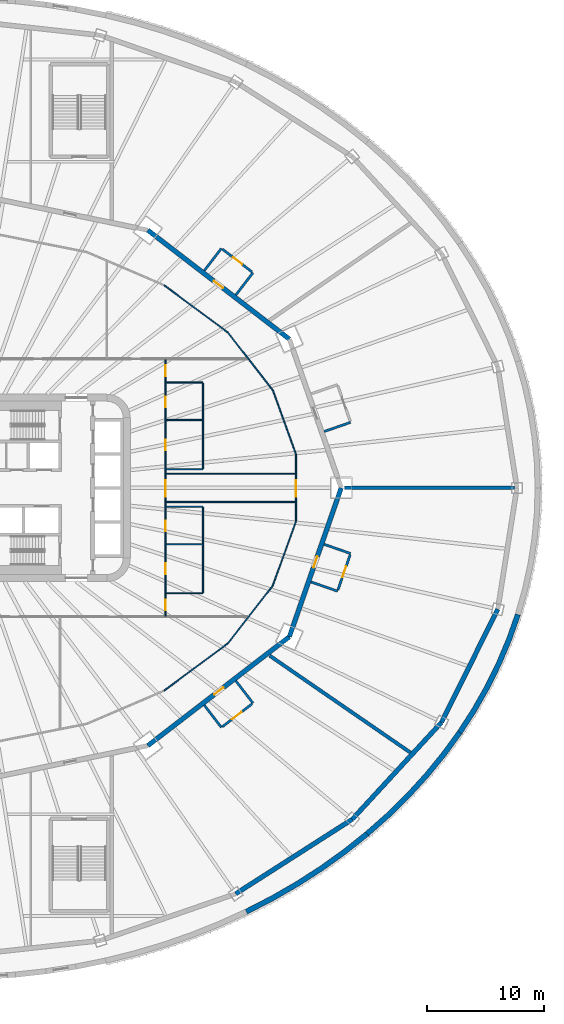
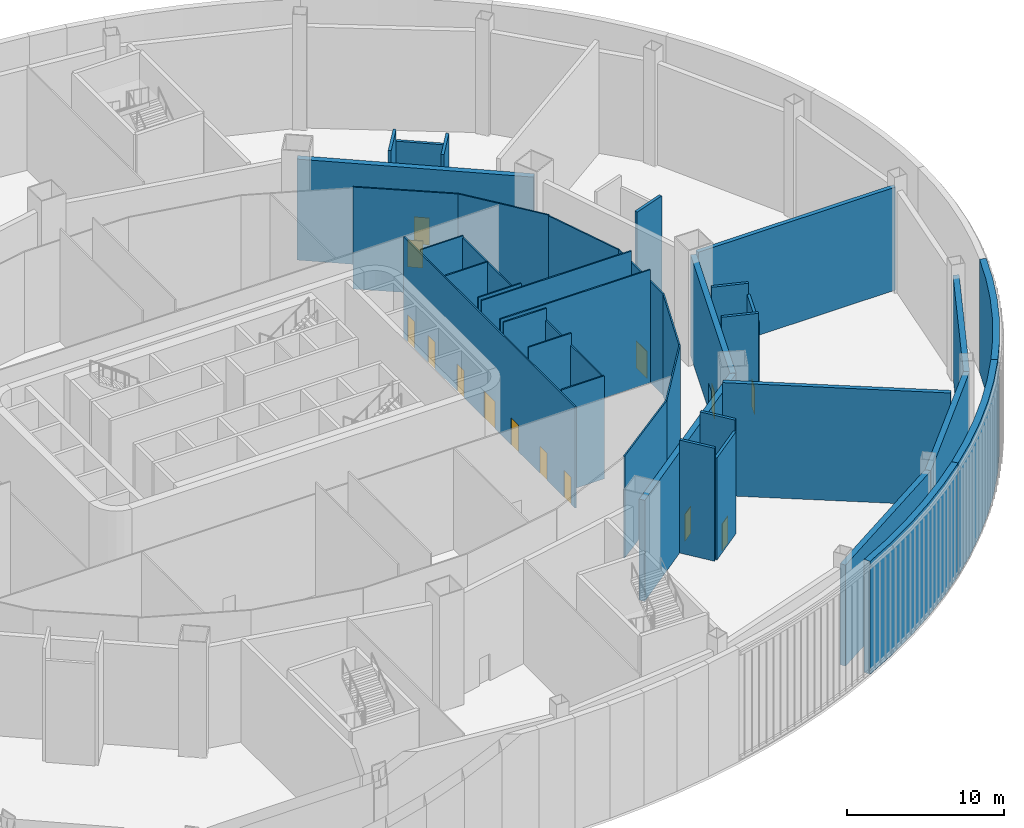
# One storey, part 11 of 35: 39 walls, 14 doors, 14 openings.
"""IFC4 building model written with IfcOpenShell, lengths in metres."""

import ifcopenshell
import ifcopenshell.guid

model = None  # the IFC model being written
_history = None  # IfcOwnerHistory: only IFC2X3 demands one
_inside = {}  # id of a spatial element -> (the spatial element, [elements in it])
_under = {}  # id of a project, library or spatial element -> (it, [spatial elements below it])
_declared = {}  # id of a project -> (the project, [libraries it declares])
_typed = {}  # id of a type object -> (the type object, [elements of that type])
_made_of = {}  # id of a material, layer set ... -> (it, [elements and type objects made of it])


def new_model(schema):
    """Start an empty IFC model of exactly this schema.

    Asked for "IFC4X3", IfcOpenShell would pick the latest addendum, in which some entities
    have other attributes; the version numbers below select the first issue.
    IFC2X3 requires an IfcOwnerHistory on every rooted entity: one is made here for all.
    """
    global model, _history
    if schema == "IFC4X3":
        model = ifcopenshell.file(schema_version=(4, 3, 0, 0))
    else:
        model = ifcopenshell.file(schema=schema)
    _inside.clear()
    _under.clear()
    _declared.clear()
    _typed.clear()
    _made_of.clear()
    _history = None
    if model.schema == "IFC2X3":
        org = make("IfcOrganization", Name="unknown")
        user = make(
            "IfcPersonAndOrganization",
            ThePerson=make("IfcPerson", FamilyName="unknown"),
            TheOrganization=org,
        )
        app = make(
            "IfcApplication",
            ApplicationDeveloper=org,
            Version="unknown",
            ApplicationFullName="unknown",
            ApplicationIdentifier="unknown",
        )
        _history = make(
            "IfcOwnerHistory",
            OwningUser=user,
            OwningApplication=app,
            ChangeAction="ADDED",
            CreationDate=0,
        )
    return model


def make(cls, **values):
    """One entity of the class cls with the attributes given. An attribute that is None is left unset."""
    return model.create_entity(
        cls, **{name: value for name, value in values.items() if value is not None}
    )


def rooted(cls, **values):
    """An entity with a GlobalId (a new one), such as an element, a storey or a relation."""
    return make(cls, GlobalId=ifcopenshell.guid.new(), OwnerHistory=_history, **values)


def si_unit(unit_type, name, prefix=None):
    """IfcSIUnit, for example si_unit("LENGTHUNIT", "METRE", prefix="MILLI")."""
    return make("IfcSIUnit", UnitType=unit_type, Prefix=prefix, Name=name)


def assignment(units):
    """IfcUnitAssignment: the units of a project."""
    return None if units is None else make("IfcUnitAssignment", Units=units)


def point(xyz):
    """IfcCartesianPoint."""
    return None if xyz is None else make("IfcCartesianPoint", Coordinates=xyz)


def direction(xyz):
    """IfcDirection."""
    return None if xyz is None else make("IfcDirection", DirectionRatios=xyz)


def frame(location, z_axis=None, x_axis=None):
    """IfcAxis2Placement3D, a coordinate frame: its origin and axes. An axis left out is left unset."""
    return make(
        "IfcAxis2Placement3D",
        Location=point(location),
        Axis=direction(z_axis),
        RefDirection=direction(x_axis),
    )


def frame_2d(location, x_axis=None):
    """IfcAxis2Placement2D, a coordinate frame in the plane: its origin and x axis."""
    return make(
        "IfcAxis2Placement2D", Location=point(location), RefDirection=direction(x_axis)
    )


def origin():
    """The frame at (0, 0, 0) with its axes left unset."""
    return frame((0.0, 0.0, 0.0))


def place(relative_to, where):
    """IfcLocalPlacement: puts the frame where relative to a parent placement (None: the world)."""
    return make(
        "IfcLocalPlacement", PlacementRelTo=relative_to, RelativePlacement=where
    )


def context(
    kind, dimensions, precision=None, world=None, true_north=None, identifier=None
):
    """IfcGeometricRepresentationContext, for example the 3D "Model" context."""
    return make(
        "IfcGeometricRepresentationContext",
        ContextIdentifier=identifier,
        ContextType=kind,
        CoordinateSpaceDimension=dimensions,
        Precision=precision,
        WorldCoordinateSystem=world,
        TrueNorth=true_north,
    )


def subcontext(parent, identifier, kind, view, scale=None):
    """IfcGeometricRepresentationSubContext, for example "Body" below "Model"."""
    return make(
        "IfcGeometricRepresentationSubContext",
        ContextIdentifier=identifier,
        ContextType=kind,
        ParentContext=parent,
        TargetScale=scale,
        TargetView=view,
    )


def project(units=None, contexts=None):
    """IfcProject with its units and contexts."""
    return rooted(
        "IfcProject",
        Name="project",
        RepresentationContexts=contexts,
        UnitsInContext=assignment(units),
    )


def spatial(cls, under=None, at=None, **own):
    """A site, building, storey or space (cls), placed at a placement, below another one or the project."""
    s = rooted(cls, ObjectPlacement=at, **own)
    if under is not None:
        _under.setdefault(under.id(), (under, []))[1].append(s)
    return s


def polyline(points):
    """IfcPolyline through the points."""
    return make("IfcPolyline", Points=[point(p) for p in points])


def profile(cls, at=None, kind="AREA", **sizes):
    """A parametric profile (cls). Its sizes go by their IFC names, for example OverallWidth=200.0."""
    return make(cls, ProfileType=kind, Position=at, **sizes)


def rectangle(**sizes):
    """IfcRectangleProfileDef."""
    return profile("IfcRectangleProfileDef", **sizes)


def outline(outer, holes=None, kind="AREA"):
    """IfcArbitraryClosedProfileDef: a profile drawn as a closed curve; with holes, ...WithVoids."""
    if holes is None:
        return make("IfcArbitraryClosedProfileDef", ProfileType=kind, OuterCurve=outer)
    return make(
        "IfcArbitraryProfileDefWithVoids",
        ProfileType=kind,
        OuterCurve=outer,
        InnerCurves=holes,
    )


def extrude(swept, where, along, depth):
    """IfcExtrudedAreaSolid: the profile swept, set in the frame where, extruded along a direction by depth."""
    return make(
        "IfcExtrudedAreaSolid",
        SweptArea=swept,
        Position=where,
        ExtrudedDirection=direction(along),
        Depth=depth,
    )


def shape(context_of_items, identifier, shape_type, items):
    """IfcShapeRepresentation: the items that make up one representation, for example the "Body"."""
    return make(
        "IfcShapeRepresentation",
        ContextOfItems=context_of_items,
        RepresentationIdentifier=identifier,
        RepresentationType=shape_type,
        Items=items,
    )


def material(Name=None, Category=None):
    """IfcMaterial."""
    return make("IfcMaterial", Name=Name, Category=Category)


def layer(
    of_material, thickness, ventilated=None, Name=None, Category=None, Priority=None
):
    """IfcMaterialLayer: one layer of a wall or slab, of a material (None: an air gap)."""
    return make(
        "IfcMaterialLayer",
        Material=of_material,
        LayerThickness=thickness,
        IsVentilated=ventilated,
        Name=Name,
        Category=Category,
        Priority=Priority,
    )


def layer_set(layers, Name=None):
    """IfcMaterialLayerSet."""
    return make("IfcMaterialLayerSet", MaterialLayers=layers, LayerSetName=Name)


def made_of(thing, what):
    """Note that an element or type object is made of a material, layer set ...; save() writes the relation."""
    if what is not None:
        _made_of.setdefault(what.id(), (what, []))[1].append(thing)
    return thing


def type_object(cls, material=None, **own):
    """A type object (cls), such as IfcWallType, which elements share."""
    return made_of(rooted(cls, **own), material)


def element(
    cls,
    number,
    at=None,
    inside=None,
    cuts=None,
    type_object=None,
    material=None,
    context=None,
    identifier="Body",
    shape_type=None,
    held_by="IfcProductDefinitionShape",
    body=None,
    shapes=None,
    **own,
):
    """One element of the class cls, such as IfcWall. Its Tag is "e" and its number.

    at: its placement. inside: the storey or other place that contains it. cuts: it is an
    opening in that element (IfcRelVoidsElement). A single representation is given by context,
    identifier, shape_type and body (its items); several are given by shapes. held_by: the class
    of the entity that holds the representations. save() writes the other relations.
    """
    e = rooted(cls, Tag="e%d" % number, ObjectPlacement=at, **own)
    if body is not None:
        shapes = [shape(context, identifier, shape_type, body)]
    if shapes is not None:
        e.Representation = make(held_by, Representations=shapes)
    if inside is not None:
        _inside.setdefault(inside.id(), (inside, []))[1].append(e)
    if cuts is not None:
        rooted(
            "IfcRelVoidsElement", RelatingBuildingElement=cuts, RelatedOpeningElement=e
        )
    if type_object is not None:
        _typed.setdefault(type_object.id(), (type_object, []))[1].append(e)
    return made_of(e, material)


def fill(opening, filler):
    """IfcRelFillsElement: the door or window that sits in an opening."""
    return rooted(
        "IfcRelFillsElement",
        RelatingOpeningElement=opening,
        RelatedBuildingElement=filler,
    )


def aggregate(whole, parts):
    """IfcRelAggregates: a whole, such as a stair, and the parts it consists of."""
    return rooted("IfcRelAggregates", RelatingObject=whole, RelatedObjects=parts)


def save(model, path):
    """Write the relations noted so far, then the file.

    IfcRelAggregates (storeys below a building ...), IfcRelContainedInSpatialStructure (elements
    in a storey), IfcRelDefinesByType, IfcRelAssociatesMaterial and IfcRelDeclares: one each for
    every whole, place, type object, material and project.
    """
    for whole, parts in _under.values():
        aggregate(whole, parts)
    for where, things in _inside.values():
        rooted(
            "IfcRelContainedInSpatialStructure",
            RelatedElements=things,
            RelatingStructure=where,
        )
    for kind, things in _typed.values():
        rooted("IfcRelDefinesByType", RelatedObjects=things, RelatingType=kind)
    for what, things in _made_of.values():
        rooted("IfcRelAssociatesMaterial", RelatedObjects=things, RelatingMaterial=what)
    for by, libraries in _declared.values():
        rooted("IfcRelDeclares", RelatingContext=by, RelatedDefinitions=libraries)
    model.write(path)


model = new_model("IFC4")

# Units and contexts
model_context = context("Model", 3, precision=1e-05, world=origin(), true_north=direction((0.0, 1.0)))
body_context = subcontext(model_context, "Body", "Model", "MODEL_VIEW")
ifc_project = project(units=[si_unit("LENGTHUNIT", "METRE"), si_unit("AREAUNIT", "SQUARE_METRE"), si_unit("VOLUMEUNIT", "CUBIC_METRE"), si_unit("PLANEANGLEUNIT", "RADIAN"), si_unit("MASSUNIT", "GRAM", prefix="KILO")], contexts=[model_context])

# Site, building, storey
site_placement = place(None, origin())
site = spatial("IfcSite", under=ifc_project, at=site_placement, CompositionType="ELEMENT")
building_placement = place(site_placement, origin())
building = spatial("IfcBuilding", under=site, at=building_placement, Name="Sahrelin Media Tower", CompositionType="ELEMENT")
storey_placement = place(building_placement, frame((0.0, 0.0, 8.0)))
storey = spatial("IfcBuildingStorey", under=building, at=storey_placement, Name="L01", CompositionType="ELEMENT", Elevation=8.0)

# Walls
ifc_material_1 = material(Name="Fire-rated gypsum board partition")
ifc_layer_1 = layer(ifc_material_1, 0.199951171875)
ifc_layer_set_1 = layer_set([ifc_layer_1], Name="Fire-rated partition 200")
wall_type_1 = type_object("IfcWallType", Name="Fire-rated partition 200", PredefinedType="PARTITIONING", material=ifc_layer_set_1)
for number, where, z_axis, x_axis, name in (
    (1, (24.008544921875, 16.47021484375, 0.0), (0.0, 0.0, 1.0), (0.609946706972, 0.792442436177, 0.0), "Wall"),
    (2, (21.314208984375, 18.5439453125, 0.0), (0.0, 0.0, 1.0), (0.609946706972, 0.792442436177, 0.0), "Wall"),
):
    element("IfcWall", number, at=place(storey_placement, frame(where, z_axis=z_axis, x_axis=x_axis)), inside=storey, type_object=wall_type_1, Name=name, PredefinedType="PARTITIONING", context=body_context, shape_type="SweptSolid", body=[
        extrude(rectangle(XDim=2.39990234375, YDim=0.199951171875, at=frame_2d((1.199951171875, 0.0))), origin(), (0.0, 0.0, 1.0), 8.800048828125),
    ])

# Wall, opening, door
wall_1_placement = place(storey_placement, frame((25.393310546875, 18.43310546875, 0.0), z_axis=(0.0, 0.0, 1.0), x_axis=(-0.792476481098, 0.609902473274, 0.0)))
wall_1 = element("IfcWall", 3, at=wall_1_placement, inside=storey, type_object=wall_type_1, Name="Wall", PredefinedType="PARTITIONING", context=body_context, shape_type="SweptSolid", body=[
    extrude(rectangle(XDim=3.199951171875, YDim=0.199951171875, at=frame_2d((1.60009765625, 0.0))), origin(), (0.0, 0.0, 1.0), 7.945068359375),
])
opening_1_placement = place(wall_1_placement, frame((1.050048828125, 0.0, 0.0)))
opening_1 = element("IfcOpeningElement", 4, at=opening_1_placement, cuts=wall_1, Name="Opening L01-D54", PredefinedType="OPENING", context=body_context, shape_type="SweptSolid", body=[
    extrude(rectangle(XDim=1.0, YDim=2.10009765625, at=frame_2d((0.5, 1.050048828125))), frame((0.0, 0.10009765625, 0.0), z_axis=(0.0, -1.0, 0.0), x_axis=(1.0, 0.0, 0.0)), (0.0, 0.0, 1.0), 0.199951171875),
])
ifc_material_2 = material(Name="Steel fire door leaf", Category="steel")
door_type_1 = type_object("IfcDoorType", Name="Fire door 1000 x 2100 EI 60", OperationType="NOTDEFINED", PredefinedType="DOOR", material=ifc_material_2)
door_1_placement = place(opening_1_placement, origin())
door_1 = element("IfcDoor", 5, at=door_1_placement, inside=storey, type_object=door_type_1, Name="Fire door", OperationType="SINGLE_SWING_LEFT", OverallHeight=2.10009765625, OverallWidth=1.0, PredefinedType="DOOR", context=body_context, shape_type="SweptSolid", body=[
    extrude(rectangle(XDim=1.0, YDim=2.10009765625, at=frame_2d((0.5, 1.050048828125))), frame((0.0, 0.02490234375, 0.0), z_axis=(0.0, -1.0, 0.0), x_axis=(1.0, 0.0, 0.0)), (0.0, 0.0, 1.0), 0.050048828125),
])
fill(opening_1, door_1)

# Walls
for number, where, z_axis, x_axis, name in (
    (6, (31.537109375, 4.810302734375, 0.0), (0.0, 0.0, 1.0), (0.94440893349, 0.328773122904, 0.0), "Wall"),
    (7, (30.41943359375, -8.021240234375, 0.0), (0.0, 0.0, 1.0), (0.94440893349, -0.328773122904, 0.0), "Wall"),
    (8, (31.537109375, -4.810302734375, 0.0), (0.0, 0.0, 1.0), (0.94440893349, -0.328773122904, 0.0), "Wall"),
):
    element("IfcWall", number, at=place(storey_placement, frame(where, z_axis=z_axis, x_axis=x_axis)), inside=storey, type_object=wall_type_1, Name=name, PredefinedType="PARTITIONING", context=body_context, shape_type="SweptSolid", body=[
        extrude(rectangle(XDim=2.39990234375, YDim=0.199951171875, at=frame_2d((1.199951171875, 0.0))), origin(), (0.0, 0.0, 1.0), 8.800048828125),
    ])

# Wall, opening, door
wall_2_placement = place(storey_placement, frame((32.718994140625, -8.7158203125, 0.0), z_axis=(0.0, 0.0, 1.0), x_axis=(0.328742544754, 0.944419577978, 0.0)))
wall_2 = element("IfcWall", 9, at=wall_2_placement, inside=storey, type_object=wall_type_1, Name="Wall", PredefinedType="PARTITIONING", context=body_context, shape_type="SweptSolid", body=[
    extrude(rectangle(XDim=3.2001953125, YDim=0.199951171875, at=frame_2d((1.60009765625, 0.0))), origin(), (0.0, 0.0, 1.0), 7.945068359375),
])
opening_2_placement = place(wall_2_placement, frame((1.14990234375, 0.0, 0.0)))
opening_2 = element("IfcOpeningElement", 10, at=opening_2_placement, cuts=wall_2, Name="Opening L01-D58", PredefinedType="OPENING", context=body_context, shape_type="SweptSolid", body=[
    extrude(rectangle(XDim=1.0, YDim=2.10009765625, at=frame_2d((0.5, 1.050048828125))), frame((0.0, 0.10009765625, 0.0), z_axis=(0.0, -1.0, 0.0), x_axis=(1.0, 0.0, 0.0)), (0.0, 0.0, 1.0), 0.199951171875),
])
door_2_placement = place(opening_2_placement, origin())
door_2 = element("IfcDoor", 11, at=door_2_placement, inside=storey, type_object=door_type_1, Name="Fire door", OperationType="SINGLE_SWING_RIGHT", OverallHeight=2.10009765625, OverallWidth=1.0, PredefinedType="DOOR", context=body_context, shape_type="SweptSolid", body=[
    extrude(rectangle(XDim=1.0, YDim=2.10009765625, at=frame_2d((0.5, 1.050048828125))), frame((0.0, 0.02490234375, 0.0), z_axis=(0.0, -1.0, 0.0), x_axis=(1.0, 0.0, 0.0)), (0.0, 0.0, 1.0), 0.050048828125),
])
fill(opening_2, door_2)

# Walls
for number, where, z_axis, x_axis, name in (
    (12, (21.314208984375, -18.5439453125, 0.0), (0.0, 0.0, 1.0), (0.609946706972, -0.792442436177, 0.0), "Wall"),
    (13, (24.008544921875, -16.47021484375, 0.0), (0.0, 0.0, 1.0), (0.609946706972, -0.792442436177, 0.0), "Wall"),
):
    element("IfcWall", number, at=place(storey_placement, frame(where, z_axis=z_axis, x_axis=x_axis)), inside=storey, type_object=wall_type_1, Name=name, PredefinedType="PARTITIONING", context=body_context, shape_type="SweptSolid", body=[
        extrude(rectangle(XDim=2.39990234375, YDim=0.199951171875, at=frame_2d((1.199951171875, 0.0))), origin(), (0.0, 0.0, 1.0), 8.800048828125),
    ])

# Wall, opening, door
wall_3_placement = place(storey_placement, frame((22.857421875, -20.384765625, 0.0), z_axis=(0.0, 0.0, 1.0), x_axis=(0.792476481098, 0.609902473274, 0.0)))
wall_3 = element("IfcWall", 14, at=wall_3_placement, inside=storey, type_object=wall_type_1, Name="Wall", PredefinedType="PARTITIONING", context=body_context, shape_type="SweptSolid", body=[
    extrude(rectangle(XDim=3.199951171875, YDim=0.199951171875, at=frame_2d((1.60009765625, 0.0))), origin(), (0.0, 0.0, 1.0), 7.945068359375),
])
opening_3_placement = place(wall_3_placement, frame((1.050048828125, 0.0, 0.0)))
opening_3 = element("IfcOpeningElement", 15, at=opening_3_placement, cuts=wall_3, Name="Opening L01-D60", PredefinedType="OPENING", context=body_context, shape_type="SweptSolid", body=[
    extrude(rectangle(XDim=1.0, YDim=2.10009765625, at=frame_2d((0.5, 1.050048828125))), frame((0.0, 0.10009765625, 0.0), z_axis=(0.0, -1.0, 0.0), x_axis=(1.0, 0.0, 0.0)), (0.0, 0.0, 1.0), 0.199951171875),
])
door_3_placement = place(opening_3_placement, origin())
door_3 = element("IfcDoor", 16, at=door_3_placement, inside=storey, type_object=door_type_1, Name="Fire door", OperationType="SINGLE_SWING_LEFT", OverallHeight=2.10009765625, OverallWidth=1.0, PredefinedType="DOOR", context=body_context, shape_type="SweptSolid", body=[
    extrude(rectangle(XDim=1.0, YDim=2.10009765625, at=frame_2d((0.5, 1.050048828125))), frame((0.0, 0.02490234375, 0.0), z_axis=(0.0, -1.0, 0.0), x_axis=(1.0, 0.0, 0.0)), (0.0, 0.0, 1.0), 0.050048828125),
])
fill(opening_3, door_3)

# Walls
ifc_layer_2 = layer(ifc_material_1, 0.300048828125)
ifc_layer_set_2 = layer_set([ifc_layer_2], Name="Fire-rated partition 300")
wall_type_2 = type_object("IfcWallType", Name="Fire-rated partition 300", PredefinedType="PARTITIONING", material=ifc_layer_set_2)
wall_4_placement = place(storey_placement, frame((33.263916015625, 0.0, 0.0), z_axis=(0.0, 0.0, 1.0), x_axis=(1.0, 0.0, 0.0)))
element("IfcWall", 17, at=wall_4_placement, inside=storey, type_object=wall_type_2, Name="Wall", PredefinedType="PARTITIONING", context=body_context, shape_type="SweptSolid", body=[
    extrude(rectangle(XDim=14.53369140625, YDim=0.300048828125, at=frame_2d((7.266845703125, 0.0))), origin(), (0.0, 0.0, 1.0), 8.02587890625),
])
wall_5_placement = place(storey_placement, frame((26.887939453125, -14.31201171875, 0.0), z_axis=(0.0, 0.0, 1.0), x_axis=(0.823646474485, -0.567103592889, 0.0)))
element("IfcWall", 18, at=wall_5_placement, inside=storey, type_object=wall_type_2, Name="Wall", PredefinedType="PARTITIONING", context=body_context, shape_type="SweptSolid", body=[
    extrude(rectangle(XDim=14.598388671875, YDim=0.300048828125, at=frame_2d((7.29931640625, 0.0))), origin(), (0.0, 0.0, 1.0), 8.800048828125),
])
ifc_layer_3 = layer(ifc_material_1, 0.39990234375)
ifc_layer_set_3 = layer_set([ifc_layer_3], Name="Fire-rated partition 400")
wall_type_3 = type_object("IfcWallType", Name="Fire-rated partition 400", PredefinedType="PARTITIONING", material=ifc_layer_set_3)
wall_6_placement = place(storey_placement, frame((24.0, -34.64111328125, 0.0), z_axis=(0.0, 0.0, 1.0), x_axis=(0.842479506869, 0.538728392147, 0.0)))
element("IfcWall", 19, at=wall_6_placement, inside=storey, type_object=wall_type_3, Name="Wall", PredefinedType="PARTITIONING", context=body_context, shape_type="SweptSolid", body=[
    extrude(rectangle(XDim=11.7998046875, YDim=0.39990234375, at=frame_2d((5.89990234375, 0.0))), origin(), (0.0, 0.0, 1.0), 7.876953125),
])
wall_7_placement = place(storey_placement, frame((33.941162109375, -28.2841796875, 0.0), z_axis=(0.0, 0.0, 1.0), x_axis=(0.67736833065, 0.735644033914, 0.0)))
element("IfcWall", 20, at=wall_7_placement, inside=storey, type_object=wall_type_3, Name="Wall", PredefinedType="PARTITIONING", context=body_context, shape_type="SweptSolid", body=[
    extrude(rectangle(XDim=11.26123046875, YDim=0.39990234375, at=frame_2d((5.630615234375, 0.0))), origin(), (0.0, 0.0, 1.0), 7.876953125),
])
wall_8_placement = place(storey_placement, frame((41.569091796875, -20.0, 0.0), z_axis=(0.0, 0.0, 1.0), x_axis=(0.445118441463, 0.895471704226, 0.0)))
element("IfcWall", 21, at=wall_8_placement, inside=storey, type_object=wall_type_3, Name="Wall", PredefinedType="PARTITIONING", context=body_context, shape_type="SweptSolid", body=[
    extrude(rectangle(XDim=10.7734375, YDim=0.39990234375, at=frame_2d((5.38671875, 0.0))), origin(), (0.0, 0.0, 1.0), 7.876953125),
])

# Wall, opening, door
wall_9_placement = place(storey_placement, frame((28.578857421875, 12.699951171875, 0.0), z_axis=(0.0, 0.0, 1.0), x_axis=(-0.792443539308, 0.609945273782, 0.0)))
wall_9 = element("IfcWall", 22, at=wall_9_placement, inside=storey, type_object=wall_type_3, Name="Wall", PredefinedType="PARTITIONING", context=body_context, shape_type="SweptSolid", body=[
    extrude(rectangle(XDim=15.242431640625, YDim=0.39990234375, at=frame_2d((7.62109375, 0.0))), origin(), (0.0, 0.0, 1.0), 7.8681640625),
])
opening_4_placement = place(wall_9_placement, frame((7.14990234375, 0.0, 0.0)))
opening_4 = element("IfcOpeningElement", 23, at=opening_4_placement, cuts=wall_9, Name="Opening L01-D53", PredefinedType="OPENING", context=body_context, shape_type="SweptSolid", body=[
    extrude(rectangle(XDim=1.0, YDim=2.10009765625, at=frame_2d((0.5, 1.050048828125))), frame((0.0, 0.199951171875, 0.0), z_axis=(0.0, -1.0, 0.0), x_axis=(1.0, 0.0, 0.0)), (0.0, 0.0, 1.0), 0.39990234375),
])
door_4_placement = place(opening_4_placement, origin())
door_4 = element("IfcDoor", 24, at=door_4_placement, inside=storey, type_object=door_type_1, Name="Fire door", OperationType="SINGLE_SWING_RIGHT", OverallHeight=2.10009765625, OverallWidth=1.0, PredefinedType="DOOR", context=body_context, shape_type="SweptSolid", body=[
    extrude(rectangle(XDim=1.0, YDim=2.10009765625, at=frame_2d((0.5, 1.050048828125))), frame((0.0, 0.02490234375, 0.0), z_axis=(0.0, -1.0, 0.0), x_axis=(1.0, 0.0, 0.0)), (0.0, 0.0, 1.0), 0.050048828125),
])
fill(opening_4, door_4)

wall_10_placement = place(storey_placement, frame((16.5, -21.9970703125, 0.0), z_axis=(0.0, 0.0, 1.0), x_axis=(0.792443539308, 0.609945273782, 0.0)))
wall_10 = element("IfcWall", 25, at=wall_10_placement, inside=storey, type_object=wall_type_3, Name="Wall", PredefinedType="PARTITIONING", context=body_context, shape_type="SweptSolid", body=[
    extrude(rectangle(XDim=15.242431640625, YDim=0.39990234375, at=frame_2d((7.62109375, 0.0))), origin(), (0.0, 0.0, 1.0), 7.8681640625),
])
opening_5_placement = place(wall_10_placement, frame((7.14990234375, 0.0, 0.0)))
opening_5 = element("IfcOpeningElement", 26, at=opening_5_placement, cuts=wall_10, Name="Opening L01-D59", PredefinedType="OPENING", context=body_context, shape_type="SweptSolid", body=[
    extrude(rectangle(XDim=1.0, YDim=2.10009765625, at=frame_2d((0.5, 1.050048828125))), frame((0.0, 0.199951171875, 0.0), z_axis=(0.0, -1.0, 0.0), x_axis=(1.0, 0.0, 0.0)), (0.0, 0.0, 1.0), 0.39990234375),
])
door_5_placement = place(opening_5_placement, origin())
door_5 = element("IfcDoor", 27, at=door_5_placement, inside=storey, type_object=door_type_1, Name="Fire door", OperationType="SINGLE_SWING_RIGHT", OverallHeight=2.10009765625, OverallWidth=1.0, PredefinedType="DOOR", context=body_context, shape_type="SweptSolid", body=[
    extrude(rectangle(XDim=1.0, YDim=2.10009765625, at=frame_2d((0.5, 1.050048828125))), frame((0.0, 0.02490234375, 0.0), z_axis=(0.0, -1.0, 0.0), x_axis=(1.0, 0.0, 0.0)), (0.0, 0.0, 1.0), 0.050048828125),
])
fill(opening_5, door_5)

wall_11_placement = place(storey_placement, frame((28.578857421875, -12.699951171875, 0.0), z_axis=(0.0, 0.0, 1.0), x_axis=(0.328770590399, 0.944409815117, 0.0)))
wall_11 = element("IfcWall", 28, at=wall_11_placement, inside=storey, type_object=wall_type_3, Name="Wall", PredefinedType="PARTITIONING", context=body_context, shape_type="SweptSolid", body=[
    extrude(rectangle(XDim=13.447509765625, YDim=0.39990234375, at=frame_2d((6.7236328125, 0.0))), origin(), (0.0, 0.0, 1.0), 7.8681640625),
])
opening_6_placement = place(wall_11_placement, frame((6.25, 0.0, 0.0)))
opening_6 = element("IfcOpeningElement", 29, at=opening_6_placement, cuts=wall_11, Name="Opening L01-D57", PredefinedType="OPENING", context=body_context, shape_type="SweptSolid", body=[
    extrude(rectangle(XDim=1.0, YDim=2.10009765625, at=frame_2d((0.5, 1.050048828125))), frame((0.0, 0.199951171875, 0.0), z_axis=(0.0, -1.0, 0.0), x_axis=(1.0, 0.0, 0.0)), (0.0, 0.0, 1.0), 0.39990234375),
])
door_6_placement = place(opening_6_placement, origin())
door_6 = element("IfcDoor", 30, at=door_6_placement, inside=storey, type_object=door_type_1, Name="Fire door", OperationType="SINGLE_SWING_RIGHT", OverallHeight=2.10009765625, OverallWidth=1.0, PredefinedType="DOOR", context=body_context, shape_type="SweptSolid", body=[
    extrude(rectangle(XDim=1.0, YDim=2.10009765625, at=frame_2d((0.5, 1.050048828125))), frame((0.0, 0.02490234375, 0.0), z_axis=(0.0, -1.0, 0.0), x_axis=(1.0, 0.0, 0.0)), (0.0, 0.0, 1.0), 0.050048828125),
])
fill(opening_6, door_6)

# Walls
ifc_material_3 = material(Name="Gypsum board partition")
ifc_layer_4 = layer(ifc_material_3, 0.10009765625)
ifc_layer_set_4 = layer_set([ifc_layer_4], Name="Partition 100")
wall_type_4 = type_object("IfcWallType", Name="Partition 100", PredefinedType="PARTITIONING", material=ifc_layer_set_4)
wall_12_placement = place(storey_placement, frame((29.1484375, 2.845458984375, 0.0), z_axis=(0.0, 0.0, 1.0), x_axis=(-0.339837423604, 0.940484197378, 0.0)))
element("IfcWall", 31, at=wall_12_placement, inside=storey, type_object=wall_type_4, Name="Wall", PredefinedType="PARTITIONING", context=body_context, shape_type="SweptSolid", body=[
    extrude(rectangle(XDim=5.844970703125, YDim=0.10009765625, at=frame_2d((2.92236328125, 0.0))), origin(), (0.0, 0.0, 1.0), 7.876953125),
])
wall_13_placement = place(storey_placement, frame((27.162109375, 8.342529296875, 0.0), z_axis=(0.0, 0.0, 1.0), x_axis=(-0.614354540541, 0.78903009988, 0.0)))
element("IfcWall", 32, at=wall_13_placement, inside=storey, type_object=wall_type_4, Name="Wall", PredefinedType="PARTITIONING", context=body_context, shape_type="SweptSolid", body=[
    extrude(rectangle(XDim=6.246337890625, YDim=0.10009765625, at=frame_2d((3.123046875, 0.0))), origin(), (0.0, 0.0, 1.0), 7.945068359375),
])
for number, where, z_axis, x_axis, name in (
    (33, (23.32470703125, 13.27099609375, 0.0), (0.0, 0.0, 1.0), (-0.803261991148, 0.595625867115, 0.0), "Wall"),
    (34, (17.897705078125, -17.295166015625, 0.0), (0.0, 0.0, 1.0), (0.803261991148, 0.595625867115, 0.0), "Wall"),
):
    element("IfcWall", number, at=place(storey_placement, frame(where, z_axis=z_axis, x_axis=x_axis)), inside=storey, type_object=wall_type_4, Name=name, PredefinedType="PARTITIONING", context=body_context, shape_type="SweptSolid", body=[
        extrude(rectangle(XDim=6.756103515625, YDim=0.10009765625, at=frame_2d((3.3779296875, 0.0))), origin(), (0.0, 0.0, 1.0), 7.945068359375),
    ])
wall_14_placement = place(storey_placement, frame((23.32470703125, -13.27099609375, 0.0), z_axis=(0.0, 0.0, 1.0), x_axis=(0.614354540541, 0.78903009988, 0.0)))
element("IfcWall", 35, at=wall_14_placement, inside=storey, type_object=wall_type_4, Name="Wall", PredefinedType="PARTITIONING", context=body_context, shape_type="SweptSolid", body=[
    extrude(rectangle(XDim=6.246337890625, YDim=0.10009765625, at=frame_2d((3.123046875, 0.0))), origin(), (0.0, 0.0, 1.0), 7.945068359375),
])
wall_15_placement = place(storey_placement, frame((27.162109375, -8.342529296875, 0.0), z_axis=(0.0, 0.0, 1.0), x_axis=(0.339837423604, 0.940484197378, 0.0)))
element("IfcWall", 36, at=wall_15_placement, inside=storey, type_object=wall_type_4, Name="Wall", PredefinedType="PARTITIONING", context=body_context, shape_type="SweptSolid", body=[
    extrude(rectangle(XDim=5.844970703125, YDim=0.10009765625, at=frame_2d((2.92236328125, 0.0))), origin(), (0.0, 0.0, 1.0), 7.876953125),
])

# Wall, opening, door
wall_16_placement = place(storey_placement, frame((29.1484375, -2.845458984375, 0.0), z_axis=(0.0, 0.0, 1.0), x_axis=(0.0, 1.0, 0.0)))
wall_16 = element("IfcWall", 37, at=wall_16_placement, inside=storey, type_object=wall_type_4, Name="Wall", PredefinedType="PARTITIONING", context=body_context, shape_type="SweptSolid", body=[
    extrude(rectangle(XDim=5.69091796875, YDim=0.10009765625, at=frame_2d((2.845458984375, 0.0))), origin(), (0.0, 0.0, 1.0), 7.876953125),
])
opening_7_placement = place(wall_16_placement, frame((2.10009765625, 0.0, 0.0)))
opening_7 = element("IfcOpeningElement", 38, at=opening_7_placement, cuts=wall_16, Name="Opening L01-D47", PredefinedType="OPENING", context=body_context, shape_type="SweptSolid", body=[
    extrude(rectangle(XDim=1.39990234375, YDim=2.10009765625, at=frame_2d((0.699951171875, 1.050048828125))), frame((0.0, 0.050048828125, 0.0), z_axis=(0.0, -1.0, 0.0), x_axis=(1.0, 0.0, 0.0)), (0.0, 0.0, 1.0), 0.10009765625),
])
ifc_material_4 = material(Name="Timber door leaf", Category="wood")
door_type_2 = type_object("IfcDoorType", Name="Single door 1400 x 2100", OperationType="NOTDEFINED", PredefinedType="DOOR", material=ifc_material_4)
door_7_placement = place(opening_7_placement, origin())
door_7 = element("IfcDoor", 39, at=door_7_placement, inside=storey, type_object=door_type_2, Name="Single door", OperationType="SINGLE_SWING_LEFT", OverallHeight=2.10009765625, OverallWidth=1.39990234375, PredefinedType="DOOR", context=body_context, shape_type="SweptSolid", body=[
    extrude(rectangle(XDim=1.39990234375, YDim=2.10009765625, at=frame_2d((0.699951171875, 1.050048828125))), frame((0.0, 0.02490234375, 0.0), z_axis=(0.0, -1.0, 0.0), x_axis=(1.0, 0.0, 0.0)), (0.0, 0.0, 1.0), 0.050048828125),
])
fill(opening_7, door_7)

# Wall, openings, doors
wall_17_placement = place(storey_placement, frame((18.0, -10.949951171875, 0.0), z_axis=(0.0, 0.0, 1.0), x_axis=(0.0, 1.0, 0.0)))
wall_17 = element("IfcWall", 40, at=wall_17_placement, inside=storey, type_object=wall_type_4, Name="Wall", PredefinedType="PARTITIONING", context=body_context, shape_type="SweptSolid", body=[
    extrude(rectangle(XDim=21.89990234375, YDim=0.10009765625, at=frame_2d((10.949951171875, 0.0))), origin(), (0.0, 0.0, 1.0), 7.876953125),
])
opening_8_placement = place(wall_17_placement, frame((14.14990234375, 0.0, 0.0)))
opening_8 = element("IfcOpeningElement", 41, at=opening_8_placement, cuts=wall_17, Name="Opening L01-D19", PredefinedType="OPENING", context=body_context, shape_type="SweptSolid", body=[
    extrude(rectangle(XDim=0.89990234375, YDim=2.10009765625, at=frame_2d((0.449951171875, 1.050048828125))), frame((0.0, 0.050048828125, 0.0), z_axis=(0.0, -1.0, 0.0), x_axis=(1.0, 0.0, 0.0)), (0.0, 0.0, 1.0), 0.10009765625),
])
opening_9_placement = place(wall_17_placement, frame((17.85009765625, 0.0, 0.0)))
opening_9 = element("IfcOpeningElement", 42, at=opening_9_placement, cuts=wall_17, Name="Opening L01-D20", PredefinedType="OPENING", context=body_context, shape_type="SweptSolid", body=[
    extrude(rectangle(XDim=0.89990234375, YDim=2.10009765625, at=frame_2d((0.449951171875, 1.050048828125))), frame((0.0, 0.050048828125, 0.0), z_axis=(0.0, -1.0, 0.0), x_axis=(1.0, 0.0, 0.0)), (0.0, 0.0, 1.0), 0.10009765625),
])
opening_10_placement = place(wall_17_placement, frame((3.60009765625, 0.0, 0.0)))
opening_10 = element("IfcOpeningElement", 43, at=opening_10_placement, cuts=wall_17, Name="Opening L01-D21", PredefinedType="OPENING", context=body_context, shape_type="SweptSolid", body=[
    extrude(rectangle(XDim=0.89990234375, YDim=2.10009765625, at=frame_2d((0.449951171875, 1.050048828125))), frame((0.0, 0.050048828125, 0.0), z_axis=(0.0, -1.0, 0.0), x_axis=(1.0, 0.0, 0.0)), (0.0, 0.0, 1.0), 0.10009765625),
])
opening_11_placement = place(wall_17_placement, frame((7.25, 0.0, 0.0)))
opening_11 = element("IfcOpeningElement", 44, at=opening_11_placement, cuts=wall_17, Name="Opening L01-D22", PredefinedType="OPENING", context=body_context, shape_type="SweptSolid", body=[
    extrude(rectangle(XDim=0.89990234375, YDim=2.10009765625, at=frame_2d((0.449951171875, 1.050048828125))), frame((0.0, 0.050048828125, 0.0), z_axis=(0.0, -1.0, 0.0), x_axis=(1.0, 0.0, 0.0)), (0.0, 0.0, 1.0), 0.10009765625),
])
opening_12_placement = place(wall_17_placement, frame((0.5, 0.0, 0.0)))
opening_12 = element("IfcOpeningElement", 45, at=opening_12_placement, cuts=wall_17, Name="Opening L01-D45", PredefinedType="OPENING", context=body_context, shape_type="SweptSolid", body=[
    extrude(rectangle(XDim=0.89990234375, YDim=2.10009765625, at=frame_2d((0.449951171875, 1.050048828125))), frame((0.0, 0.050048828125, 0.0), z_axis=(0.0, -1.0, 0.0), x_axis=(1.0, 0.0, 0.0)), (0.0, 0.0, 1.0), 0.10009765625),
])
opening_13_placement = place(wall_17_placement, frame((10.199951171875, 0.0, 0.0)))
opening_13 = element("IfcOpeningElement", 46, at=opening_13_placement, cuts=wall_17, Name="Opening L01-D46", PredefinedType="OPENING", context=body_context, shape_type="SweptSolid", body=[
    extrude(rectangle(XDim=1.39990234375, YDim=2.10009765625, at=frame_2d((0.699951171875, 1.050048828125))), frame((0.0, 0.050048828125, 0.0), z_axis=(0.0, -1.0, 0.0), x_axis=(1.0, 0.0, 0.0)), (0.0, 0.0, 1.0), 0.10009765625),
])
opening_14_placement = place(wall_17_placement, frame((20.5, 0.0, 0.0)))
opening_14 = element("IfcOpeningElement", 47, at=opening_14_placement, cuts=wall_17, Name="Opening L01-D48", PredefinedType="OPENING", context=body_context, shape_type="SweptSolid", body=[
    extrude(rectangle(XDim=0.89990234375, YDim=2.10009765625, at=frame_2d((0.449951171875, 1.050048828125))), frame((0.0, 0.050048828125, 0.0), z_axis=(0.0, -1.0, 0.0), x_axis=(1.0, 0.0, 0.0)), (0.0, 0.0, 1.0), 0.10009765625),
])
door_8_placement = place(opening_13_placement, origin())
door_8 = element("IfcDoor", 48, at=door_8_placement, inside=storey, type_object=door_type_2, Name="Single door", OperationType="SINGLE_SWING_LEFT", OverallHeight=2.10009765625, OverallWidth=1.39990234375, PredefinedType="DOOR", context=body_context, shape_type="SweptSolid", body=[
    extrude(rectangle(XDim=1.39990234375, YDim=2.10009765625, at=frame_2d((0.699951171875, 1.050048828125))), frame((0.0, 0.02490234375, 0.0), z_axis=(0.0, -1.0, 0.0), x_axis=(1.0, 0.0, 0.0)), (0.0, 0.0, 1.0), 0.050048828125),
])
fill(opening_13, door_8)
door_type_3 = type_object("IfcDoorType", Name="Single door 900 x 2100", OperationType="NOTDEFINED", PredefinedType="DOOR", material=ifc_material_4)
door_9_placement = place(opening_8_placement, origin())
door_9 = element("IfcDoor", 49, at=door_9_placement, inside=storey, type_object=door_type_3, Name="Single door", OperationType="SINGLE_SWING_RIGHT", OverallHeight=2.10009765625, OverallWidth=0.89990234375, PredefinedType="DOOR", context=body_context, shape_type="SweptSolid", body=[
    extrude(rectangle(XDim=0.89990234375, YDim=2.10009765625, at=frame_2d((0.449951171875, 1.050048828125))), frame((0.0, 0.02490234375, 0.0), z_axis=(0.0, -1.0, 0.0), x_axis=(1.0, 0.0, 0.0)), (0.0, 0.0, 1.0), 0.050048828125),
])
fill(opening_8, door_9)
door_10_placement = place(opening_9_placement, origin())
door_10 = element("IfcDoor", 50, at=door_10_placement, inside=storey, type_object=door_type_3, Name="Single door", OperationType="SINGLE_SWING_RIGHT", OverallHeight=2.10009765625, OverallWidth=0.89990234375, PredefinedType="DOOR", context=body_context, shape_type="SweptSolid", body=[
    extrude(rectangle(XDim=0.89990234375, YDim=2.10009765625, at=frame_2d((0.449951171875, 1.050048828125))), frame((0.0, 0.02490234375, 0.0), z_axis=(0.0, -1.0, 0.0), x_axis=(1.0, 0.0, 0.0)), (0.0, 0.0, 1.0), 0.050048828125),
])
fill(opening_9, door_10)
door_11_placement = place(opening_10_placement, origin())
door_11 = element("IfcDoor", 51, at=door_11_placement, inside=storey, type_object=door_type_3, Name="Single door", OperationType="SINGLE_SWING_LEFT", OverallHeight=2.10009765625, OverallWidth=0.89990234375, PredefinedType="DOOR", context=body_context, shape_type="SweptSolid", body=[
    extrude(rectangle(XDim=0.89990234375, YDim=2.10009765625, at=frame_2d((0.449951171875, 1.050048828125))), frame((0.0, 0.02490234375, 0.0), z_axis=(0.0, -1.0, 0.0), x_axis=(1.0, 0.0, 0.0)), (0.0, 0.0, 1.0), 0.050048828125),
])
fill(opening_10, door_11)
door_12_placement = place(opening_11_placement, origin())
door_12 = element("IfcDoor", 52, at=door_12_placement, inside=storey, type_object=door_type_3, Name="Single door", OperationType="SINGLE_SWING_LEFT", OverallHeight=2.10009765625, OverallWidth=0.89990234375, PredefinedType="DOOR", context=body_context, shape_type="SweptSolid", body=[
    extrude(rectangle(XDim=0.89990234375, YDim=2.10009765625, at=frame_2d((0.449951171875, 1.050048828125))), frame((0.0, 0.02490234375, 0.0), z_axis=(0.0, -1.0, 0.0), x_axis=(1.0, 0.0, 0.0)), (0.0, 0.0, 1.0), 0.050048828125),
])
fill(opening_11, door_12)
door_13_placement = place(opening_12_placement, origin())
door_13 = element("IfcDoor", 53, at=door_13_placement, inside=storey, type_object=door_type_3, Name="Single door", OperationType="SINGLE_SWING_LEFT", OverallHeight=2.10009765625, OverallWidth=0.89990234375, PredefinedType="DOOR", context=body_context, shape_type="SweptSolid", body=[
    extrude(rectangle(XDim=0.89990234375, YDim=2.10009765625, at=frame_2d((0.449951171875, 1.050048828125))), frame((0.0, 0.02490234375, 0.0), z_axis=(0.0, -1.0, 0.0), x_axis=(1.0, 0.0, 0.0)), (0.0, 0.0, 1.0), 0.050048828125),
])
fill(opening_12, door_13)
door_14_placement = place(opening_14_placement, origin())
door_14 = element("IfcDoor", 54, at=door_14_placement, inside=storey, type_object=door_type_3, Name="Single door", OperationType="SINGLE_SWING_RIGHT", OverallHeight=2.10009765625, OverallWidth=0.89990234375, PredefinedType="DOOR", context=body_context, shape_type="SweptSolid", body=[
    extrude(rectangle(XDim=0.89990234375, YDim=2.10009765625, at=frame_2d((0.449951171875, 1.050048828125))), frame((0.0, 0.02490234375, 0.0), z_axis=(0.0, -1.0, 0.0), x_axis=(1.0, 0.0, 0.0)), (0.0, 0.0, 1.0), 0.050048828125),
])
fill(opening_14, door_14)

# Walls
for number, where, z_axis, x_axis, name in (
    (55, (18.050048828125, -1.199951171875, 0.0), (0.0, 0.0, 1.0), (1.0, 0.0, 0.0), "Wall"),
    (56, (18.050048828125, 1.199951171875, 0.0), (0.0, 0.0, 1.0), (1.0, 0.0, 0.0), "Wall"),
):
    element("IfcWall", number, at=place(storey_placement, frame(where, z_axis=z_axis, x_axis=x_axis)), inside=storey, type_object=wall_type_4, Name=name, PredefinedType="PARTITIONING", context=body_context, shape_type="SweptSolid", body=[
        extrude(rectangle(XDim=11.04833984375, YDim=0.10009765625, at=frame_2d((5.524169921875, 0.0))), origin(), (0.0, 0.0, 1.0), 8.800048828125),
    ])
wall_18_placement = place(storey_placement, frame((18.050048828125, 1.60009765625, 0.0), z_axis=(0.0, 0.0, 1.0), x_axis=(1.0, 0.0, 0.0)))
element("IfcWall", 57, at=wall_18_placement, inside=storey, type_object=wall_type_4, Name="Wall", PredefinedType="PARTITIONING", context=body_context, shape_type="SweptSolid", body=[
    extrude(rectangle(XDim=3.14990234375, YDim=0.10009765625, at=frame_2d((1.574951171875, 0.0))), origin(), (0.0, 0.0, 1.0), 8.800048828125),
])
wall_19_placement = place(storey_placement, frame((18.050048828125, 5.800048828125, 0.0), z_axis=(0.0, 0.0, 1.0), x_axis=(1.0, 0.0, 0.0)))
element("IfcWall", 58, at=wall_19_placement, inside=storey, type_object=wall_type_4, Name="Wall", PredefinedType="PARTITIONING", context=body_context, shape_type="SweptSolid", body=[
    extrude(rectangle(XDim=3.14990234375, YDim=0.10009765625, at=frame_2d((1.574951171875, 0.0))), origin(), (0.0, 0.0, 1.0), 7.945068359375),
])
for number, where, z_axis, x_axis, name in (
    (59, (18.050048828125, 9.0, 0.0), (0.0, 0.0, 1.0), (1.0, 0.0, 0.0), "Wall"),
    (60, (18.050048828125, -9.0, 0.0), (0.0, 0.0, 1.0), (1.0, 0.0, 0.0), "Wall"),
):
    element("IfcWall", number, at=place(storey_placement, frame(where, z_axis=z_axis, x_axis=x_axis)), inside=storey, type_object=wall_type_4, Name=name, PredefinedType="PARTITIONING", context=body_context, shape_type="SweptSolid", body=[
        extrude(rectangle(XDim=3.14990234375, YDim=0.10009765625, at=frame_2d((1.574951171875, 0.0))), origin(), (0.0, 0.0, 1.0), 8.02587890625),
    ])
for number, where, z_axis, x_axis, name in (
    (61, (18.050048828125, -4.800048828125, 0.0), (0.0, 0.0, 1.0), (1.0, 0.0, 0.0), "Wall"),
    (62, (18.050048828125, -1.60009765625, 0.0), (0.0, 0.0, 1.0), (1.0, 0.0, 0.0), "Wall"),
):
    element("IfcWall", number, at=place(storey_placement, frame(where, z_axis=z_axis, x_axis=x_axis)), inside=storey, type_object=wall_type_4, Name=name, PredefinedType="PARTITIONING", context=body_context, shape_type="SweptSolid", body=[
        extrude(rectangle(XDim=3.14990234375, YDim=0.10009765625, at=frame_2d((1.574951171875, 0.0))), origin(), (0.0, 0.0, 1.0), 8.800048828125),
    ])
for number, where, z_axis, x_axis, name in (
    (63, (21.199951171875, 1.64990234375, 0.0), (0.0, 0.0, 1.0), (0.0, 1.0, 0.0), "Wall"),
    (64, (21.199951171875, -8.949951171875, 0.0), (0.0, 0.0, 1.0), (0.0, 1.0, 0.0), "Wall"),
):
    element("IfcWall", number, at=place(storey_placement, frame(where, z_axis=z_axis, x_axis=x_axis)), inside=storey, type_object=wall_type_4, Name=name, PredefinedType="PARTITIONING", context=body_context, shape_type="SweptSolid", body=[
        extrude(rectangle(XDim=7.300048828125, YDim=0.10009765625, at=frame_2d((3.64990234375, 0.0))), origin(), (0.0, 0.0, 1.0), 7.876953125),
    ])
ifc_material_5 = material(Name="Concrete C40/50", Category="concrete")
ifc_layer_5 = layer(ifc_material_5, 0.449951171875)
ifc_layer_set_5 = layer_set([ifc_layer_5], Name="Studio facade wall")
wall_type_5 = type_object("IfcWallType", Name="Studio facade wall", PredefinedType="SOLIDWALL", material=ifc_layer_set_5)
placement = place(storey_placement, origin())
element("IfcWall", 65, at=placement, inside=storey, type_object=wall_type_5, Name="Studio facade wall L01-P20", PredefinedType="SOLIDWALL", context=body_context, shape_type="SweptSolid", body=[
    extrude(outline(polyline([(25.0, -36.373046875), (27.23193359375, -35.22412109375), (29.389404296875, -33.978759765625), (31.466064453125, -32.64013671875), (33.45654296875, -31.212158203125), (35.355224609375, -29.698486328125), (35.06591796875, -29.35400390625), (33.18505859375, -30.853271484375), (31.212890625, -32.26806640625), (29.15478515625, -33.594482421875), (27.0166015625, -34.8291015625), (24.8037109375, -35.96826171875), (25.0, -36.373046875)])), origin(), (0.0, 0.0, 1.0), 8.800048828125),
])
element("IfcWall", 66, at=placement, inside=storey, type_object=wall_type_5, Name="Studio facade wall L01-P21", PredefinedType="SOLIDWALL", context=body_context, shape_type="SweptSolid", body=[
    extrude(outline(polyline([(35.355224609375, -29.698486328125), (37.1572265625, -28.103515625), (38.857421875, -26.431396484375), (40.45068359375, -24.68701171875), (41.93359375, -22.874755859375), (43.30126953125, -21.0), (42.930419921875, -20.7451171875), (41.577392578125, -22.599609375), (40.1103515625, -24.392578125), (38.533203125, -26.119140625), (36.85009765625, -27.7744140625), (35.06591796875, -29.35400390625), (35.355224609375, -29.698486328125)])), origin(), (0.0, 0.0, 1.0), 8.800048828125),
])
element("IfcWall", 67, at=placement, inside=storey, type_object=wall_type_5, Name="Studio facade wall L01-P22", PredefinedType="SOLIDWALL", context=body_context, shape_type="SweptSolid", body=[
    extrude(outline(polyline([(43.30126953125, -21.0), (44.55029296875, -19.067626953125), (45.67724609375, -17.0830078125), (46.678955078125, -15.051513671875), (47.552734375, -12.978759765625), (48.29638671875, -10.870361328125), (47.86767578125, -10.733642578125), (47.133056640625, -12.81640625), (46.269775390625, -14.864501953125), (45.27978515625, -16.872314453125), (44.16552734375, -18.834228515625), (42.930419921875, -20.7451171875), (43.30126953125, -21.0)])), origin(), (0.0, 0.0, 1.0), 8.800048828125),
])

save(model, "model.ifc")
